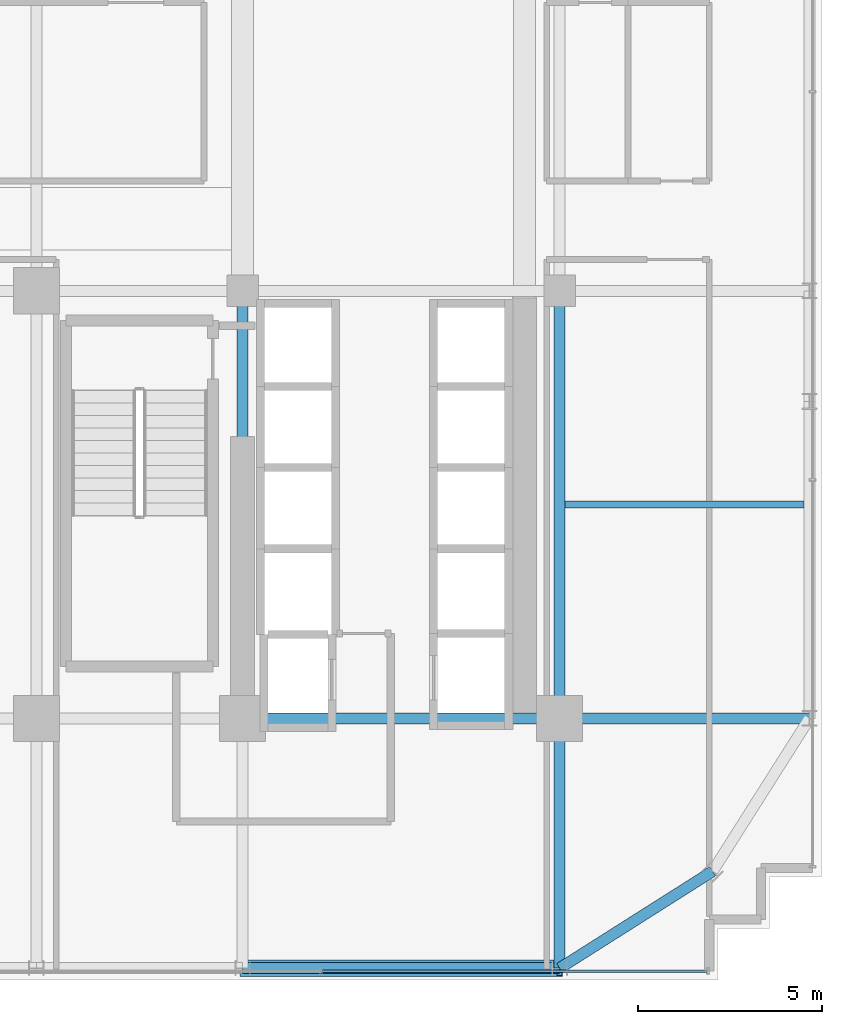
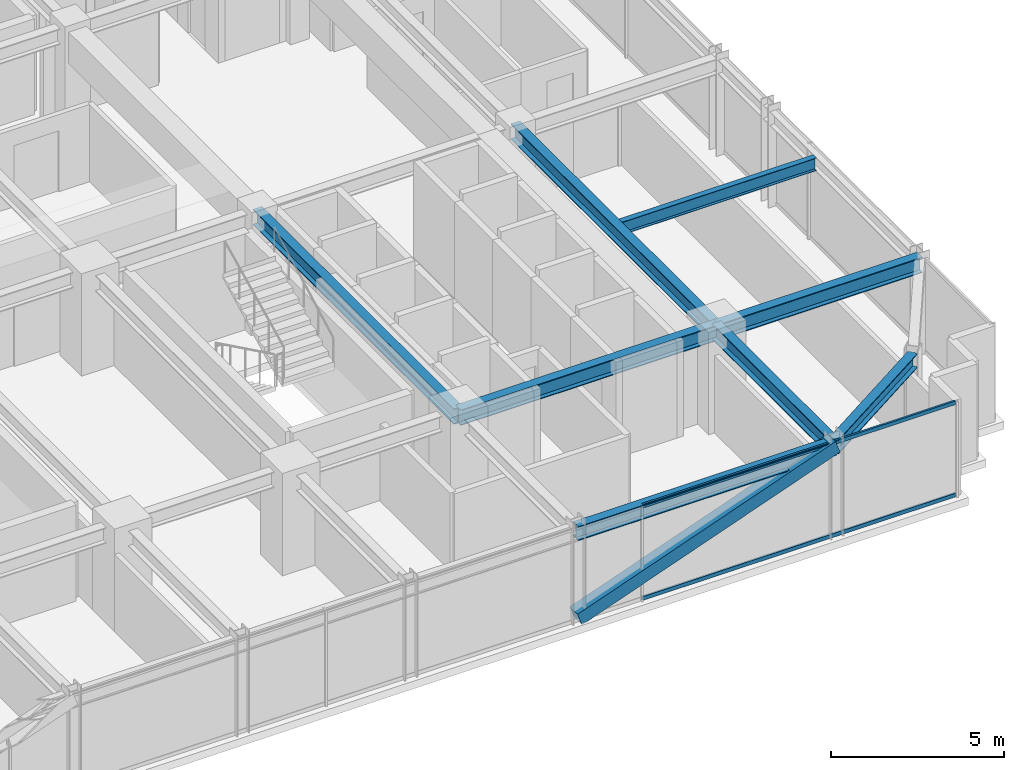
# One storey, part 11 of 35: 8 beams, 3 members, 1 element without a shape of its own.
"""IFC4 building model written with IfcOpenShell, lengths in metres."""

from ifc_helpers import new_model, si_unit, direction, frame, origin, origin_2d, place, context, subcontext, project, spatial, hollow_rectangle, i_section, extrude, source, transform, mapped, material, material_profile, profile_set, type_object, element, aggregate, save


model = new_model("IFC4")

# Units and contexts
model_context = context("Model", 3, precision=1e-05, world=origin(), true_north=direction((0.0, 1.0)))
body_context = subcontext(model_context, "Body", "Model", "MODEL_VIEW")
ifc_project = project(units=[si_unit("LENGTHUNIT", "METRE"), si_unit("AREAUNIT", "SQUARE_METRE"), si_unit("VOLUMEUNIT", "CUBIC_METRE"), si_unit("PLANEANGLEUNIT", "RADIAN"), si_unit("MASSUNIT", "GRAM", prefix="KILO")], contexts=[model_context])

# Site, building, storey
site_placement = place(None, origin())
site = spatial("IfcSite", under=ifc_project, at=site_placement, CompositionType="ELEMENT")
building_placement = place(site_placement, origin())
building = spatial("IfcBuilding", under=site, at=building_placement, Name="Nahalor Promenade Grand Hotel", CompositionType="ELEMENT")
storey_placement = place(building_placement, frame((0.0, 0.0, 121.14990234375)))
storey = spatial("IfcBuildingStorey", under=building, at=storey_placement, Name="L30", CompositionType="ELEMENT", Elevation=121.14990234375)

# Beams
ifc_material_1 = material(Name="Steel S355JR", Category="steel")
ifc_material_profile_1 = material_profile(ifc_material_1, i_section(OverallWidth=0.3, OverallDepth=0.5, WebThickness=0.0145, FlangeThickness=0.028, at=origin_2d()), Name="HEB 500")
ifc_profile_set_1 = profile_set([ifc_material_profile_1], Name="Steel S355JR")
beam_type_1 = type_object("IfcBeamType", Name="Beam-Spandrel-HEB500", PredefinedType="SPANDREL", material=ifc_profile_set_1)
shared_shape_1 = source(origin(), body_context, "Body", "SweptSolid", [
    extrude(i_section(OverallWidth=0.3, OverallDepth=0.5, WebThickness=0.0145, FlangeThickness=0.028, at=origin_2d()), origin(), (0.0, 0.0, 1.0), 8.60009765625),
])
beam_1_placement = place(storey_placement, frame((8.39990234375, -23.780029296875, 3.130126953125), z_axis=(1.0, 0.0, 0.0), x_axis=(0.0, 1.0, 0.0)))
element("IfcBeam", 1, at=beam_1_placement, inside=storey, type_object=beam_type_1, Name="BM-L30-SP-S-4", PredefinedType="SPANDREL", context=body_context, shape_type="MappedRepresentation", body=[
    mapped(shared_shape_1, transform((0.0, 0.0, 0.0), scale=1.0)),
])
shared_shape_2 = source(origin(), body_context, "Body", "SweptSolid", [
    extrude(i_section(OverallWidth=0.3, OverallDepth=0.5, WebThickness=0.0145, FlangeThickness=0.028, at=origin_2d()), origin(), (0.0, 0.0, 1.0), 4.9130859375),
])
beam_2_placement = place(storey_placement, frame((17.0, -23.780029296875, 3.130126953125), z_axis=(0.844648325505, 0.535321591403, 0.0), x_axis=(-0.535321591403, 0.844648325505, 0.0)))
element("IfcBeam", 2, at=beam_2_placement, inside=storey, type_object=beam_type_1, Name="BM-L30-SPC-SE-1", PredefinedType="SPANDREL", context=body_context, shape_type="MappedRepresentation", body=[
    mapped(shared_shape_2, transform((0.0, 0.0, 0.0), scale=1.0)),
])
ifc_material_profile_2 = material_profile(ifc_material_1, i_section(OverallWidth=0.3, OverallDepth=0.55, WebThickness=0.015, FlangeThickness=0.029, at=origin_2d()), Name="HEB 550")
ifc_profile_set_2 = profile_set([ifc_material_profile_2], Name="Steel S355JR")
beam_type_2 = type_object("IfcBeamType", Name="Beam-Girder-HEB550", PredefinedType="BEAM", material=ifc_profile_set_2)
shared_shape_3 = source(origin(), body_context, "Body", "SweptSolid", [
    extrude(i_section(OverallWidth=0.3, OverallDepth=0.55, WebThickness=0.015, FlangeThickness=0.029, at=origin_2d()), origin(), (0.0, 0.0, 1.0), 6.780029296875),
])
for number, where, z_axis, x_axis, name in (
    (3, (17.0, -17.0, 3.10498046875), (1.0, 0.0, 0.0), (0.0, 1.0, 0.0), "BM-L30-GX-0-6"),
    (4, (17.0, -23.780029296875, 3.10498046875), (0.0, 1.0, 0.0), (-1.0, 0.0, 0.0), "BM-L30-GY-5-0"),
):
    element("IfcBeam", number, at=place(storey_placement, frame(where, z_axis=z_axis, x_axis=x_axis)), inside=storey, type_object=beam_type_2, Name=name, PredefinedType="BEAM", context=body_context, shape_type="MappedRepresentation", body=[
        mapped(shared_shape_3, transform((0.0, 0.0, 0.0), scale=1.0)),
    ])
shared_shape_4 = source(origin(), body_context, "Body", "SweptSolid", [
    extrude(i_section(OverallWidth=0.3, OverallDepth=0.55, WebThickness=0.015, FlangeThickness=0.029, at=origin_2d()), origin(), (0.0, 0.0, 1.0), 8.60009765625),
])
beam_3_placement = place(storey_placement, frame((8.39990234375, -17.0, 3.10498046875), z_axis=(1.0, 0.0, 0.0), x_axis=(0.0, 1.0, 0.0)))
element("IfcBeam", 5, at=beam_3_placement, inside=storey, type_object=beam_type_2, Name="BM-L30-GX-0-5", PredefinedType="BEAM", context=body_context, shape_type="MappedRepresentation", body=[
    mapped(shared_shape_4, transform((0.0, 0.0, 0.0), scale=1.0)),
])
shared_shape_5 = source(origin(), body_context, "Body", "SweptSolid", [
    extrude(i_section(OverallWidth=0.3, OverallDepth=0.55, WebThickness=0.015, FlangeThickness=0.029, at=origin_2d()), origin(), (0.0, 0.0, 1.0), 11.60009765625),
])
for number, where, z_axis, x_axis, name in (
    (6, (8.39990234375, -17.0, 3.10498046875), (0.0, 1.0, 0.0), (-1.0, 0.0, 0.0), "BM-L30-GY-4-1"),
    (7, (17.0, -17.0, 3.10498046875), (0.0, 1.0, 0.0), (-1.0, 0.0, 0.0), "BM-L30-GY-5-1"),
):
    element("IfcBeam", number, at=place(storey_placement, frame(where, z_axis=z_axis, x_axis=x_axis)), inside=storey, type_object=beam_type_2, Name=name, PredefinedType="BEAM", context=body_context, shape_type="MappedRepresentation", body=[
        mapped(shared_shape_5, transform((0.0, 0.0, 0.0), scale=1.0)),
    ])
ifc_material_profile_3 = material_profile(ifc_material_1, i_section(OverallWidth=0.19, OverallDepth=0.45, WebThickness=0.0094, FlangeThickness=0.0146, at=origin_2d()), Name="IPE 450")
ifc_profile_set_3 = profile_set([ifc_material_profile_3], Name="Steel S355JR")
beam_type_3 = type_object("IfcBeamType", Name="Beam-Joist-IPE450", PredefinedType="JOIST", material=ifc_profile_set_3)
shared_shape_6 = source(origin(), body_context, "Body", "SweptSolid", [
    extrude(i_section(OverallWidth=0.19, OverallDepth=0.45, WebThickness=0.0094, FlangeThickness=0.0146, at=origin_2d()), origin(), (0.0, 0.0, 1.0), 6.47998046875),
])
beam_4_placement = place(storey_placement, frame((17.14990234375, -11.199951171875, 3.155029296875), z_axis=(1.0, 0.0, 0.0), x_axis=(0.0, 1.0, 0.0)))
element("IfcBeam", 8, at=beam_4_placement, inside=storey, type_object=beam_type_3, Name="BM-L30-JSE-0-2", PredefinedType="JOIST", context=body_context, shape_type="MappedRepresentation", body=[
    mapped(shared_shape_6, transform((0.0, 0.0, 0.0), scale=1.0)),
])

# Member
ifc_material_2 = material(Name="Steel S355J2", Category="steel")
ifc_material_profile_4 = material_profile(ifc_material_2, hollow_rectangle(XDim=0.45, YDim=0.45, WallThickness=0.025, at=origin_2d()), Name="SHS 450x450x25")
ifc_profile_set_4 = profile_set([ifc_material_profile_4], Name="Steel S355J2")
member_type_1 = type_object("IfcMemberType", Name="Mem-ExoBrace-SHS450", PredefinedType="BRACE", material=ifc_profile_set_4)
shared_shape_7 = source(origin(), body_context, "Body", "SweptSolid", [
    extrude(hollow_rectangle(XDim=0.45, YDim=0.45, WallThickness=0.025, at=origin_2d()), origin(), (0.0, 0.0, 1.0), 9.135009765625),
])
member_1_placement = place(storey_placement, frame((8.39990234375, -23.780029296875, 0.150146484375), z_axis=(0.941451323466, 0.0, 0.337148936738), x_axis=(0.0, 1.0, 0.0)))
element("IfcMember", 9, at=member_1_placement, inside=storey, type_object=member_type_1, Name="EXO-L30-S-1", PredefinedType="BRACE", context=body_context, shape_type="MappedRepresentation", body=[
    mapped(shared_shape_7, transform((0.0, 0.0, 0.0), scale=1.0)),
])

# Curtain wall, members
ifc_material_3 = material(Name="Anodised Bronze Aluminium EN AW-6063 T6", Category="aluminium")
curtain_wall_type = type_object("IfcCurtainWallType", Name="CW2 Typical Hotel Flush Bronze Unitised Curtain Wall", PredefinedType="USERDEFINED", material=ifc_material_3)
curtain_wall_placement = place(storey_placement, origin())
curtain_wall = element("IfcCurtainWall", 10, at=curtain_wall_placement, inside=storey, type_object=curtain_wall_type, Name="L30 Curtain Wall CW-L30-S-1", ObjectType="UNITISED_CURTAIN_WALL", PredefinedType="USERDEFINED")
ifc_material_profile_5 = material_profile(ifc_material_3, hollow_rectangle(XDim=0.065, YDim=0.13, WallThickness=0.004, at=origin_2d()), Name="CWT 65x130x4")
ifc_profile_set_5 = profile_set([ifc_material_profile_5], Name="Anodised Bronze Aluminium EN AW-6063 T6")
member_type_2 = type_object("IfcMemberType", Name="CWT2 Typical Bronze Transom 65x130", PredefinedType="USERDEFINED", material=ifc_profile_set_5)
shared_shape_8 = source(origin(), body_context, "Body", "SweptSolid", [
    extrude(hollow_rectangle(XDim=0.065, YDim=0.13, WallThickness=0.004, at=origin_2d()), origin(), (0.0, 0.0, 1.0), 10.4326171875),
])
member_2_placement = place(storey_placement, frame((10.5625, -23.860107421875, 0.065185546875), z_axis=(1.0, 0.0, 0.0), x_axis=(0.0, 1.0, 0.0)))
member_2 = element("IfcMember", 11, at=member_2_placement, type_object=member_type_2, Name="CW-L30-S-1 Transom 3-0", ObjectType="TRANSOM", PredefinedType="USERDEFINED", context=body_context, shape_type="MappedRepresentation", body=[
    mapped(shared_shape_8, transform((0.0, 0.0, 0.0), scale=1.0)),
])
member_3_placement = place(storey_placement, frame((10.5625, -23.860107421875, 3.315185546875), z_axis=(1.0, 0.0, 0.0), x_axis=(0.0, 1.0, 0.0)))
member_3 = element("IfcMember", 12, at=member_3_placement, type_object=member_type_2, Name="CW-L30-S-1 Transom 3-1", ObjectType="TRANSOM", PredefinedType="USERDEFINED", context=body_context, shape_type="MappedRepresentation", body=[
    mapped(shared_shape_8, transform((0.0, 0.0, 0.0), scale=1.0)),
])
aggregate(curtain_wall, [member_2, member_3])

save(model, "model.ifc")
